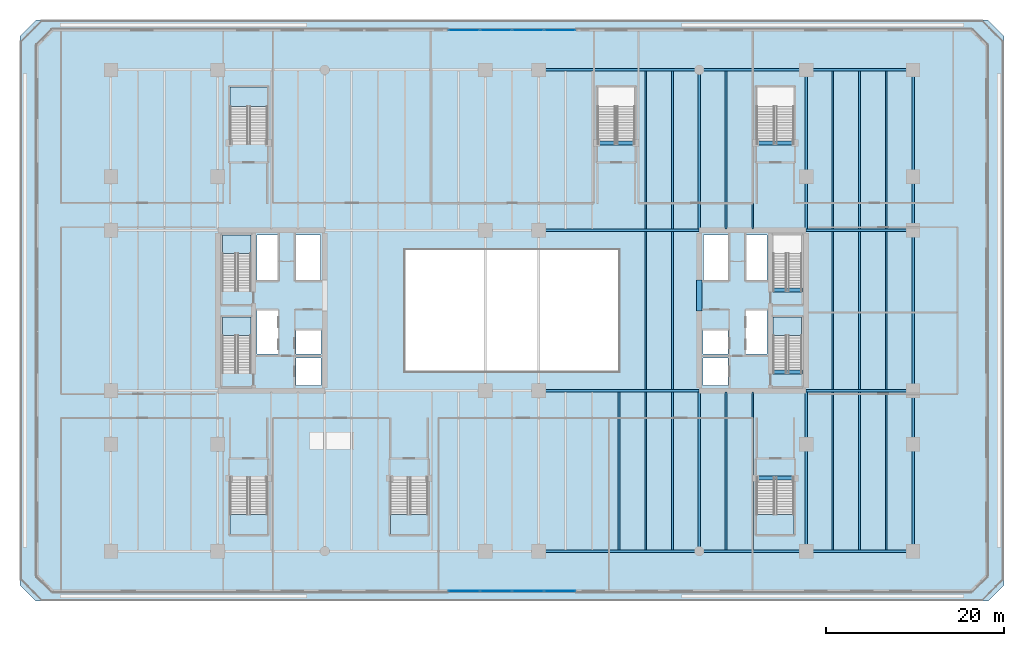
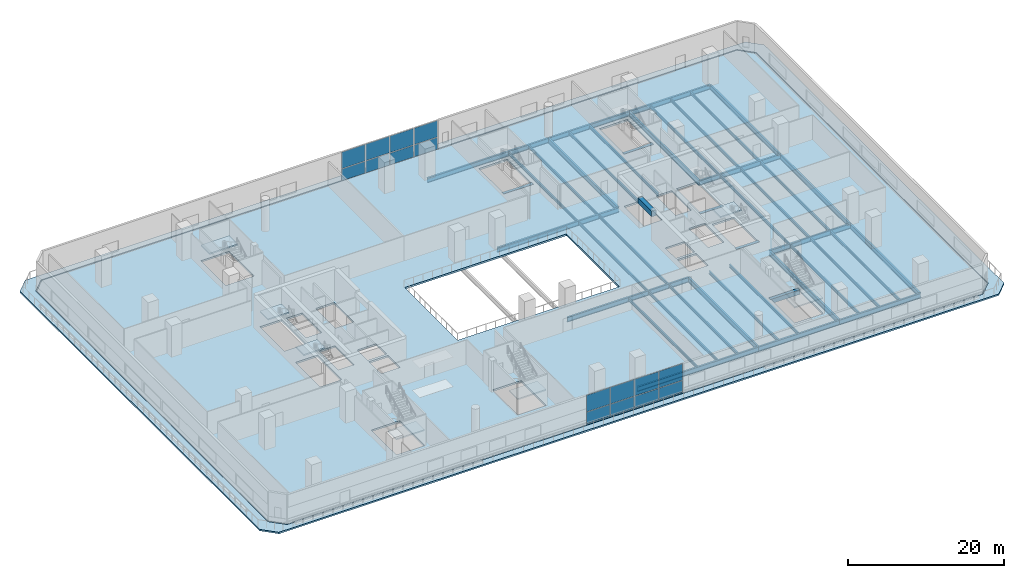
# One storey, part 9 of 27: 43 beams, 16 plates, 9 slabs, 9 elements without a shape of their own.
"""IFC4 building model written with IfcOpenShell, lengths in metres."""

from ifc_helpers import new_model, si_unit, direction, frame, origin, origin_2d, place, context, subcontext, project, spatial, polyline, rectangle, i_section, outline, extrude, material, layer, layer_set, material_profile, profile_set, type_object, element, aggregate, save


model = new_model("IFC4")

# Units and contexts
model_context = context("Model", 3, precision=1e-05, world=origin(), true_north=direction((0.0, 1.0)))
body_context = subcontext(model_context, "Body", "Model", "MODEL_VIEW")
ifc_project = project(units=[si_unit("LENGTHUNIT", "METRE"), si_unit("AREAUNIT", "SQUARE_METRE"), si_unit("VOLUMEUNIT", "CUBIC_METRE"), si_unit("PLANEANGLEUNIT", "RADIAN"), si_unit("MASSUNIT", "GRAM", prefix="KILO")], contexts=[model_context])

# Site, building, storey
site_placement = place(None, origin())
site = spatial("IfcSite", under=ifc_project, at=site_placement, CompositionType="ELEMENT")
building_placement = place(site_placement, origin())
building = spatial("IfcBuilding", under=site, at=building_placement, Name="Tanjung Sevakor Pilgrim Tower", CompositionType="ELEMENT")
storey_placement = place(building_placement, frame((0.0, 0.0, 9.89990234375)))
storey = spatial("IfcBuildingStorey", under=building, at=storey_placement, Name="L03", CompositionType="ELEMENT", Elevation=9.89990234375)

# Beams
ifc_material_1 = material(Name="Steel S355J2", Category="steel")
ifc_material_profile_1 = material_profile(ifc_material_1, i_section(OverallWidth=0.26806640625, OverallDepth=0.769775390625, WebThickness=0.015625, FlangeThickness=0.025390625, FilletRadius=0.0166015625, at=origin_2d()))
ifc_profile_set_1 = profile_set([ifc_material_profile_1], Name="Steel S355J2")
beam_type_1 = type_object("IfcBeamType", Name="BM-B-G1-UB_762x267x197", PredefinedType="BEAM", material=ifc_profile_set_1)
for number, where, z_axis, x_axis, name in (
    (1, (78.0, 6.60009765625, -0.664794921875), (0.0, 1.0, 0.0), (-1.0, 0.0, 0.0), "L03 Podium Girder NS X78-1"),
    (2, (78.0, 42.60009765625, -0.664794921875), (0.0, 1.0, 0.0), (-1.0, 0.0, 0.0), "L03 Podium Girder NS X78-2"),
    (3, (90.0, 6.60009765625, -0.664794921875), (0.0, 1.0, 0.0), (-1.0, 0.0, 0.0), "L03 Podium Girder NS X90-1"),
    (4, (90.0, 42.60009765625, -0.664794921875), (0.0, 1.0, 0.0), (-1.0, 0.0, 0.0), "L03 Podium Girder NS X90-2"),
    (5, (102.0, 6.60009765625, -0.664794921875), (0.0, 1.0, 0.0), (-1.0, 0.0, 0.0), "L03 Podium Girder NS X102-1"),
    (6, (102.0, 24.60009765625, -0.664794921875), (0.0, 1.0, 0.0), (-1.0, 0.0, 0.0), "L03 Podium Girder NS X102-2"),
    (7, (102.0, 42.60009765625, -0.664794921875), (0.0, 1.0, 0.0), (-1.0, 0.0, 0.0), "L03 Podium Girder NS X102-3"),
):
    element("IfcBeam", number, at=place(storey_placement, frame(where, z_axis=z_axis, x_axis=x_axis)), inside=storey, type_object=beam_type_1, Name=name, PredefinedType="BEAM", context=body_context, shape_type="SweptSolid", body=[
        extrude(i_section(OverallWidth=0.26806640625, OverallDepth=0.769775390625, WebThickness=0.015625, FlangeThickness=0.025390625, FilletRadius=0.0166015625, at=origin_2d()), origin(), (0.0, 0.0, 1.0), 18.0),
    ])
ifc_material_2 = material(Name="Steel S355J2", Category="steel")
ifc_material_profile_2 = material_profile(ifc_material_2, i_section(OverallWidth=0.19287109375, OverallDepth=0.46728515625, WebThickness=0.011474609375, FlangeThickness=0.01953125, FilletRadius=0.01025390625, at=origin_2d()))
ifc_profile_set_2 = profile_set([ifc_material_profile_2], Name="Steel S355J2")
beam_type_2 = type_object("IfcBeamType", Name="BM-B-J1-UB_457x191x98", PredefinedType="JOIST", material=ifc_profile_set_2)
for number, where, z_axis, x_axis, name in (
    (8, (69.0, 6.7333984375, -0.513427734375), (0.0, 1.0, 0.0), (-1.0, 0.0, 0.0), "L03 Secondary Joist 031"),
    (9, (72.0, 6.7333984375, -0.513427734375), (0.0, 1.0, 0.0), (-1.0, 0.0, 0.0), "L03 Secondary Joist 032"),
    (10, (72.0, 24.7333984375, -0.513427734375), (0.0, 1.0, 0.0), (-1.0, 0.0, 0.0), "L03 Secondary Joist 033"),
    (11, (72.0, 42.7333984375, -0.513427734375), (0.0, 1.0, 0.0), (-1.0, 0.0, 0.0), "L03 Secondary Joist 034"),
    (12, (75.0, 6.7333984375, -0.513427734375), (0.0, 1.0, 0.0), (-1.0, 0.0, 0.0), "L03 Secondary Joist 035"),
    (13, (75.0, 24.7333984375, -0.513427734375), (0.0, 1.0, 0.0), (-1.0, 0.0, 0.0), "L03 Secondary Joist 036"),
    (14, (75.0, 42.7333984375, -0.513427734375), (0.0, 1.0, 0.0), (-1.0, 0.0, 0.0), "L03 Secondary Joist 037"),
    (15, (81.0, 6.7333984375, -0.513427734375), (0.0, 1.0, 0.0), (-1.0, 0.0, 0.0), "L03 Secondary Joist 038"),
    (16, (81.0, 42.7333984375, -0.513427734375), (0.0, 1.0, 0.0), (-1.0, 0.0, 0.0), "L03 Secondary Joist 039"),
    (17, (84.0, 6.7333984375, -0.513427734375), (0.0, 1.0, 0.0), (-1.0, 0.0, 0.0), "L03 Secondary Joist 040"),
    (18, (84.0, 42.7333984375, -0.513427734375), (0.0, 1.0, 0.0), (-1.0, 0.0, 0.0), "L03 Secondary Joist 041"),
    (19, (93.0, 6.7333984375, -0.513427734375), (0.0, 1.0, 0.0), (-1.0, 0.0, 0.0), "L03 Secondary Joist 042"),
    (20, (93.0, 24.7333984375, -0.513427734375), (0.0, 1.0, 0.0), (-1.0, 0.0, 0.0), "L03 Secondary Joist 043"),
    (21, (93.0, 42.7333984375, -0.513427734375), (0.0, 1.0, 0.0), (-1.0, 0.0, 0.0), "L03 Secondary Joist 044"),
    (22, (96.0, 6.7333984375, -0.513427734375), (0.0, 1.0, 0.0), (-1.0, 0.0, 0.0), "L03 Secondary Joist 045"),
    (23, (96.0, 24.7333984375, -0.513427734375), (0.0, 1.0, 0.0), (-1.0, 0.0, 0.0), "L03 Secondary Joist 046"),
    (24, (96.0, 42.7333984375, -0.513427734375), (0.0, 1.0, 0.0), (-1.0, 0.0, 0.0), "L03 Secondary Joist 047"),
    (25, (99.0, 6.7333984375, -0.513427734375), (0.0, 1.0, 0.0), (-1.0, 0.0, 0.0), "L03 Secondary Joist 048"),
    (26, (99.0, 24.7333984375, -0.513427734375), (0.0, 1.0, 0.0), (-1.0, 0.0, 0.0), "L03 Secondary Joist 049"),
    (27, (99.0, 42.7333984375, -0.513427734375), (0.0, 1.0, 0.0), (-1.0, 0.0, 0.0), "L03 Secondary Joist 050"),
):
    element("IfcBeam", number, at=place(storey_placement, frame(where, z_axis=z_axis, x_axis=x_axis)), inside=storey, type_object=beam_type_2, Name=name, PredefinedType="JOIST", context=body_context, shape_type="SweptSolid", body=[
        extrude(i_section(OverallWidth=0.19287109375, OverallDepth=0.46728515625, WebThickness=0.011474609375, FlangeThickness=0.01953125, FilletRadius=0.01025390625, at=origin_2d()), origin(), (0.0, 0.0, 1.0), 17.7333984375),
    ])
ifc_material_3 = material(Name="Concrete C60/75", Category="concrete")
ifc_material_profile_3 = material_profile(ifc_material_3, rectangle(XDim=0.60009765625, YDim=0.89990234375, at=origin_2d()))
ifc_profile_set_3 = profile_set([ifc_material_profile_3], Name="Concrete C60/75")
beam_type_3 = type_object("IfcBeamType", Name="BM-B-LN1-RC-BM_600x900", PredefinedType="LINTEL", material=ifc_profile_set_3)
beam_1_placement = place(storey_placement, frame((78.0, 33.550048828125, 4.22021484375), z_axis=(0.0, 1.0, 0.0), x_axis=(-1.0, 0.0, 0.0)))
element("IfcBeam", 28, at=beam_1_placement, inside=storey, type_object=beam_type_3, Name="L03 E Core Coupling Lintel", PredefinedType="LINTEL", context=body_context, shape_type="SweptSolid", body=[
    extrude(rectangle(XDim=0.60009765625, YDim=0.89990234375, at=origin_2d()), origin(), (0.0, 0.0, 1.0), 3.5),
])
ifc_material_4 = material(Name="Concrete C60/75", Category="concrete")
ifc_material_profile_4 = material_profile(ifc_material_4, rectangle(XDim=0.449951171875, YDim=0.699951171875, at=origin_2d()))
ifc_profile_set_4 = profile_set([ifc_material_profile_4], Name="Concrete C60/75")
beam_type_4 = type_object("IfcBeamType", Name="BM-B-LN3-RC-BM_450x700", PredefinedType="LINTEL", material=ifc_profile_set_4)
for number, where, z_axis, x_axis, name in (
    (29, (86.199951171875, 26.699951171875, -0.349853515625), (1.0, 0.0, 0.0), (0.0, 1.0, 0.0), "L03 TS-E1 Stair Threshold Beam"),
    (30, (86.199951171875, 35.89990234375, -0.349853515625), (1.0, 0.0, 0.0), (0.0, 1.0, 0.0), "L03 TS-E2 Stair Threshold Beam"),
):
    element("IfcBeam", number, at=place(storey_placement, frame(where, z_axis=z_axis, x_axis=x_axis)), inside=storey, type_object=beam_type_4, Name=name, PredefinedType="LINTEL", context=body_context, shape_type="SweptSolid", body=[
        extrude(rectangle(XDim=0.449951171875, YDim=0.699951171875, at=origin_2d()), origin(), (0.0, 0.0, 1.0), 3.400146484375),
    ])
for number, where, z_axis, x_axis, name in (
    (31, (66.5, 52.39990234375, -0.349853515625), (1.0, 0.0, 0.0), (0.0, 1.0, 0.0), "L03 PS-4 Stair Threshold Beam"),
    (32, (84.35009765625, 14.800048828125, -0.349853515625), (1.0, 0.0, 0.0), (0.0, 1.0, 0.0), "L03 PS-5 Stair Threshold Beam"),
    (33, (84.35009765625, 52.39990234375, -0.349853515625), (1.0, 0.0, 0.0), (0.0, 1.0, 0.0), "L03 PS-6 Stair Threshold Beam"),
):
    element("IfcBeam", number, at=place(storey_placement, frame(where, z_axis=z_axis, x_axis=x_axis)), inside=storey, type_object=beam_type_4, Name=name, PredefinedType="LINTEL", context=body_context, shape_type="SweptSolid", body=[
        extrude(rectangle(XDim=0.449951171875, YDim=0.699951171875, at=origin_2d()), origin(), (0.0, 0.0, 1.0), 4.39990234375),
    ])
ifc_material_5 = material(Name="Steel S355J2", Category="steel")
ifc_material_profile_5 = material_profile(ifc_material_5, i_section(OverallWidth=0.2666015625, OverallDepth=0.76220703125, WebThickness=0.014404296875, FlangeThickness=0.021484375, FilletRadius=0.0166015625, at=origin_2d()))
ifc_profile_set_5 = profile_set([ifc_material_profile_5], Name="Steel S355J2")
beam_type_5 = type_object("IfcBeamType", Name="BM-B-POD4-UB_762x267x173", PredefinedType="BEAM", material=ifc_profile_set_5)
beam_2_placement = place(storey_placement, frame((60.0, 6.60009765625, -0.660888671875), z_axis=(1.0, 0.0, 0.0), x_axis=(0.0, 1.0, 0.0)))
element("IfcBeam", 34, at=beam_2_placement, inside=storey, type_object=beam_type_5, Name="L03 Podium Girder EW Y6.6-5", PredefinedType="BEAM", context=body_context, shape_type="SweptSolid", body=[
    extrude(i_section(OverallWidth=0.2666015625, OverallDepth=0.76220703125, WebThickness=0.014404296875, FlangeThickness=0.021484375, FilletRadius=0.0166015625, at=origin_2d()), origin(), (0.0, 0.0, 1.0), 18.0),
])
for number, where, z_axis, x_axis, name in (
    (35, (78.0, 6.60009765625, -0.660888671875), (1.0, 0.0, 0.0), (0.0, 1.0, 0.0), "L03 Podium Girder EW Y6.6-6"),
    (36, (90.0, 6.60009765625, -0.660888671875), (1.0, 0.0, 0.0), (0.0, 1.0, 0.0), "L03 Podium Girder EW Y6.6-7"),
):
    element("IfcBeam", number, at=place(storey_placement, frame(where, z_axis=z_axis, x_axis=x_axis)), inside=storey, type_object=beam_type_5, Name=name, PredefinedType="BEAM", context=body_context, shape_type="SweptSolid", body=[
        extrude(i_section(OverallWidth=0.2666015625, OverallDepth=0.76220703125, WebThickness=0.014404296875, FlangeThickness=0.021484375, FilletRadius=0.0166015625, at=origin_2d()), origin(), (0.0, 0.0, 1.0), 12.0),
    ])
beam_3_placement = place(storey_placement, frame((60.0, 24.60009765625, -0.660888671875), z_axis=(1.0, 0.0, 0.0), x_axis=(0.0, 1.0, 0.0)))
element("IfcBeam", 37, at=beam_3_placement, inside=storey, type_object=beam_type_5, Name="L03 Podium Girder EW Y24.6-4", PredefinedType="BEAM", context=body_context, shape_type="SweptSolid", body=[
    extrude(i_section(OverallWidth=0.2666015625, OverallDepth=0.76220703125, WebThickness=0.014404296875, FlangeThickness=0.021484375, FilletRadius=0.0166015625, at=origin_2d()), origin(), (0.0, 0.0, 1.0), 18.0),
])
beam_4_placement = place(storey_placement, frame((90.0, 24.60009765625, -0.660888671875), z_axis=(1.0, 0.0, 0.0), x_axis=(0.0, 1.0, 0.0)))
element("IfcBeam", 38, at=beam_4_placement, inside=storey, type_object=beam_type_5, Name="L03 Podium Girder EW Y24.6-5", PredefinedType="BEAM", context=body_context, shape_type="SweptSolid", body=[
    extrude(i_section(OverallWidth=0.2666015625, OverallDepth=0.76220703125, WebThickness=0.014404296875, FlangeThickness=0.021484375, FilletRadius=0.0166015625, at=origin_2d()), origin(), (0.0, 0.0, 1.0), 12.0),
])
beam_5_placement = place(storey_placement, frame((60.0, 42.60009765625, -0.660888671875), z_axis=(1.0, 0.0, 0.0), x_axis=(0.0, 1.0, 0.0)))
element("IfcBeam", 39, at=beam_5_placement, inside=storey, type_object=beam_type_5, Name="L03 Podium Girder EW Y42.6-4", PredefinedType="BEAM", context=body_context, shape_type="SweptSolid", body=[
    extrude(i_section(OverallWidth=0.2666015625, OverallDepth=0.76220703125, WebThickness=0.014404296875, FlangeThickness=0.021484375, FilletRadius=0.0166015625, at=origin_2d()), origin(), (0.0, 0.0, 1.0), 18.0),
])
beam_6_placement = place(storey_placement, frame((90.0, 42.60009765625, -0.660888671875), z_axis=(1.0, 0.0, 0.0), x_axis=(0.0, 1.0, 0.0)))
element("IfcBeam", 40, at=beam_6_placement, inside=storey, type_object=beam_type_5, Name="L03 Podium Girder EW Y42.6-5", PredefinedType="BEAM", context=body_context, shape_type="SweptSolid", body=[
    extrude(i_section(OverallWidth=0.2666015625, OverallDepth=0.76220703125, WebThickness=0.014404296875, FlangeThickness=0.021484375, FilletRadius=0.0166015625, at=origin_2d()), origin(), (0.0, 0.0, 1.0), 12.0),
])
beam_7_placement = place(storey_placement, frame((60.0, 60.60009765625, -0.660888671875), z_axis=(1.0, 0.0, 0.0), x_axis=(0.0, 1.0, 0.0)))
element("IfcBeam", 41, at=beam_7_placement, inside=storey, type_object=beam_type_5, Name="L03 Podium Girder EW Y60.6-5", PredefinedType="BEAM", context=body_context, shape_type="SweptSolid", body=[
    extrude(i_section(OverallWidth=0.2666015625, OverallDepth=0.76220703125, WebThickness=0.014404296875, FlangeThickness=0.021484375, FilletRadius=0.0166015625, at=origin_2d()), origin(), (0.0, 0.0, 1.0), 18.0),
])
for number, where, z_axis, x_axis, name in (
    (42, (78.0, 60.60009765625, -0.660888671875), (1.0, 0.0, 0.0), (0.0, 1.0, 0.0), "L03 Podium Girder EW Y60.6-6"),
    (43, (90.0, 60.60009765625, -0.660888671875), (1.0, 0.0, 0.0), (0.0, 1.0, 0.0), "L03 Podium Girder EW Y60.6-7"),
):
    element("IfcBeam", number, at=place(storey_placement, frame(where, z_axis=z_axis, x_axis=x_axis)), inside=storey, type_object=beam_type_5, Name=name, PredefinedType="BEAM", context=body_context, shape_type="SweptSolid", body=[
        extrude(i_section(OverallWidth=0.2666015625, OverallDepth=0.76220703125, WebThickness=0.014404296875, FlangeThickness=0.021484375, FilletRadius=0.0166015625, at=origin_2d()), origin(), (0.0, 0.0, 1.0), 12.0),
    ])

# Stair, slab
ifc_material_6 = material(Name="Concrete C40/50", Category="concrete")
stair_type_1 = type_object("IfcStairType", Name="STAIR-ST-CR150", PredefinedType="HALF_TURN_STAIR", material=ifc_material_6)
stair_1_placement = place(storey_placement, origin())
stair_1 = element("IfcStair", 44, at=stair_1_placement, inside=storey, type_object=stair_type_1, Name="L03 West Core Exit Stair 1", PredefinedType="HALF_TURN_STAIR")
ifc_material_7 = material(Name="Concrete C40/50", Category="concrete")
ifc_layer_1 = layer(ifc_material_7, 0.199951171875)
ifc_layer_set_1 = layer_set([ifc_layer_1], Name="SL-LAND-200")
slab_type_1 = type_object("IfcSlabType", Name="SL-LAND-200", PredefinedType="LANDING", material=ifc_layer_set_1)
slab_1_placement = place(storey_placement, frame((0.0, 0.0, 2.275146484375)))
slab_1 = element("IfcSlab", 45, at=slab_1_placement, type_object=slab_type_1, Name="TS-W1 landing 1", PredefinedType="LANDING", context=body_context, shape_type="SweptSolid", body=[
    extrude(outline(polyline([(27.699951171875, 30.800048828125), (27.699951171875, 32.89990234375), (24.5, 32.89990234375), (24.5, 30.800048828125), (27.699951171875, 30.800048828125)])), origin(), (0.0, 0.0, 1.0), 0.199951171875),
])
aggregate(stair_1, [slab_1])

stair_2_placement = place(storey_placement, origin())
stair_2 = element("IfcStair", 46, at=stair_2_placement, inside=storey, type_object=stair_type_1, Name="L03 West Core Exit Stair 2", PredefinedType="HALF_TURN_STAIR")
slab_2_placement = place(storey_placement, frame((0.0, 0.0, 2.275146484375)))
slab_2 = element("IfcSlab", 47, at=slab_2_placement, type_object=slab_type_1, Name="TS-W2 landing 1", PredefinedType="LANDING", context=body_context, shape_type="SweptSolid", body=[
    extrude(outline(polyline([(27.699951171875, 40.0), (27.699951171875, 42.10009765625), (24.5, 42.10009765625), (24.5, 40.0), (27.699951171875, 40.0)])), origin(), (0.0, 0.0, 1.0), 0.199951171875),
])
aggregate(stair_2, [slab_2])

stair_3_placement = place(storey_placement, origin())
stair_3 = element("IfcStair", 48, at=stair_3_placement, inside=storey, type_object=stair_type_1, Name="L03 East Core Exit Stair 1", PredefinedType="HALF_TURN_STAIR")
slab_3_placement = place(storey_placement, frame((0.0, 0.0, 2.275146484375)))
slab_3 = element("IfcSlab", 49, at=slab_3_placement, type_object=slab_type_1, Name="TS-E1 landing 1", PredefinedType="LANDING", context=body_context, shape_type="SweptSolid", body=[
    extrude(outline(polyline([(89.5, 30.800048828125), (89.5, 32.89990234375), (86.300048828125, 32.89990234375), (86.300048828125, 30.800048828125), (89.5, 30.800048828125)])), origin(), (0.0, 0.0, 1.0), 0.199951171875),
])
aggregate(stair_3, [slab_3])

ifc_material_8 = material(Name="Concrete C40/50", Category="concrete")
stair_type_2 = type_object("IfcStairType", Name="STAIR-ST-PD200", PredefinedType="HALF_TURN_STAIR", material=ifc_material_8)
stair_4_placement = place(storey_placement, origin())
stair_4 = element("IfcStair", 50, at=stair_4_placement, inside=storey, type_object=stair_type_2, Name="L03 Podium South-West Assembly Stair", PredefinedType="HALF_TURN_STAIR")
slab_4_placement = place(storey_placement, frame((0.0, 0.0, 2.275146484375)))
slab_4 = element("IfcSlab", 51, at=slab_4_placement, type_object=slab_type_1, Name="PS-1 landing 1", PredefinedType="LANDING", context=body_context, shape_type="SweptSolid", body=[
    extrude(outline(polyline([(25.35009765625, 10.699951171875), (25.35009765625, 8.5), (29.550048828125, 8.5), (29.550048828125, 10.699951171875), (25.35009765625, 10.699951171875)])), origin(), (0.0, 0.0, 1.0), 0.199951171875),
])
aggregate(stair_4, [slab_4])

stair_5_placement = place(storey_placement, origin())
stair_5 = element("IfcStair", 52, at=stair_5_placement, inside=storey, type_object=stair_type_2, Name="L03 Podium North-West Assembly Stair", PredefinedType="HALF_TURN_STAIR")
slab_5_placement = place(storey_placement, frame((0.0, 0.0, 2.275146484375)))
slab_5 = element("IfcSlab", 53, at=slab_5_placement, type_object=slab_type_1, Name="PS-2 landing 1", PredefinedType="LANDING", context=body_context, shape_type="SweptSolid", body=[
    extrude(outline(polyline([(29.550048828125, 56.5), (29.550048828125, 58.699951171875), (25.35009765625, 58.699951171875), (25.35009765625, 56.5), (29.550048828125, 56.5)])), origin(), (0.0, 0.0, 1.0), 0.199951171875),
])
aggregate(stair_5, [slab_5])

stair_6_placement = place(storey_placement, origin())
stair_6 = element("IfcStair", 54, at=stair_6_placement, inside=storey, type_object=stair_type_2, Name="L03 Podium South-Central Assembly Stair", PredefinedType="HALF_TURN_STAIR")
slab_6_placement = place(storey_placement, frame((0.0, 0.0, 2.275146484375)))
slab_6 = element("IfcSlab", 55, at=slab_6_placement, type_object=slab_type_1, Name="PS-3 landing 1", PredefinedType="LANDING", context=body_context, shape_type="SweptSolid", body=[
    extrude(outline(polyline([(43.35009765625, 10.699951171875), (43.35009765625, 8.5), (47.550048828125, 8.5), (47.550048828125, 10.699951171875), (43.35009765625, 10.699951171875)])), origin(), (0.0, 0.0, 1.0), 0.199951171875),
])
aggregate(stair_6, [slab_6])

stair_7_placement = place(storey_placement, origin())
stair_7 = element("IfcStair", 56, at=stair_7_placement, inside=storey, type_object=stair_type_2, Name="L03 Podium South-East Assembly Stair", PredefinedType="HALF_TURN_STAIR")
slab_7_placement = place(storey_placement, frame((0.0, 0.0, 2.275146484375)))
slab_7 = element("IfcSlab", 57, at=slab_7_placement, type_object=slab_type_1, Name="PS-5 landing 1", PredefinedType="LANDING", context=body_context, shape_type="SweptSolid", body=[
    extrude(outline(polyline([(84.449951171875, 10.699951171875), (84.449951171875, 8.5), (88.64990234375, 8.5), (88.64990234375, 10.699951171875), (84.449951171875, 10.699951171875)])), origin(), (0.0, 0.0, 1.0), 0.199951171875),
])
aggregate(stair_7, [slab_7])

# Slabs
ifc_material_9 = material(Name="Concrete C40/50", Category="concrete")
ifc_layer_2 = layer(ifc_material_9, 0.280029296875)
ifc_layer_set_2 = layer_set([ifc_layer_2], Name="SL-POD-280")
slab_type_2 = type_object("IfcSlabType", Name="SL-POD-280", PredefinedType="FLOOR", material=ifc_layer_set_2)
slab_8_placement = place(storey_placement, frame((0.0, 0.0, -0.27978515625)))
element("IfcSlab", 58, at=slab_8_placement, inside=storey, type_object=slab_type_2, Name="L03 Floor Slab MAIN", PredefinedType="FLOOR", context=body_context, shape_type="SweptSolid", body=[
    extrude(outline(polyline([(5.447021484375, 2.080078125), (108.552978515625, 2.080078125), (110.320068359375, 3.846923828125), (110.320068359375, 63.35302734375), (108.552978515625, 65.1201171875), (5.447021484375, 65.1201171875), (3.679931640625, 63.35302734375), (3.679931640625, 3.846923828125), (5.447021484375, 2.080078125)]), holes=[polyline([(27.699951171875, 26.60009765625), (27.699951171875, 32.89990234375), (24.5, 32.89990234375), (24.5, 26.60009765625), (27.699951171875, 26.60009765625)]), polyline([(27.699951171875, 35.800048828125), (27.699951171875, 42.10009765625), (24.5, 42.10009765625), (24.5, 35.800048828125), (27.699951171875, 35.800048828125)]), polyline([(89.5, 26.60009765625), (89.5, 32.89990234375), (86.300048828125, 32.89990234375), (86.300048828125, 26.60009765625), (89.5, 26.60009765625)]), polyline([(89.5, 35.800048828125), (89.5, 42.10009765625), (86.300048828125, 42.10009765625), (86.300048828125, 35.800048828125), (89.5, 35.800048828125)]), polyline([(25.35009765625, 14.89990234375), (25.35009765625, 8.5), (29.550048828125, 8.5), (29.550048828125, 14.89990234375), (25.35009765625, 14.89990234375)]), polyline([(29.550048828125, 52.300048828125), (29.550048828125, 58.699951171875), (25.35009765625, 58.699951171875), (25.35009765625, 52.300048828125), (29.550048828125, 52.300048828125)]), polyline([(43.35009765625, 14.89990234375), (43.35009765625, 8.5), (47.550048828125, 8.5), (47.550048828125, 14.89990234375), (43.35009765625, 14.89990234375)]), polyline([(70.800048828125, 52.300048828125), (70.800048828125, 58.699951171875), (66.60009765625, 58.699951171875), (66.60009765625, 52.300048828125), (70.800048828125, 52.300048828125)]), polyline([(84.449951171875, 14.89990234375), (84.449951171875, 8.5), (88.64990234375, 8.5), (88.64990234375, 14.89990234375), (84.449951171875, 14.89990234375)]), polyline([(88.64990234375, 52.300048828125), (88.64990234375, 58.699951171875), (84.449951171875, 58.699951171875), (84.449951171875, 52.300048828125), (88.64990234375, 52.300048828125)]), polyline([(32.75, 25.199951171875), (35.550048828125, 25.199951171875), (35.550048828125, 28.300048828125), (32.75, 28.300048828125), (32.75, 25.199951171875)]), polyline([(32.75, 28.699951171875), (35.550048828125, 28.699951171875), (35.550048828125, 31.35009765625), (32.75, 31.35009765625), (32.75, 28.699951171875)]), polyline([(28.39990234375, 28.699951171875), (30.75, 28.699951171875), (30.75, 33.60009765625), (28.39990234375, 33.60009765625), (28.39990234375, 28.699951171875)]), polyline([(28.39990234375, 37.0), (30.75, 37.0), (30.75, 42.050048828125), (28.39990234375, 42.050048828125), (28.39990234375, 37.0)]), polyline([(32.75, 37.0), (35.5, 37.0), (35.5, 42.050048828125), (32.75, 42.050048828125), (32.75, 37.0)]), polyline([(78.449951171875, 25.199951171875), (81.25, 25.199951171875), (81.25, 28.300048828125), (78.449951171875, 28.300048828125), (78.449951171875, 25.199951171875)]), polyline([(78.449951171875, 28.699951171875), (81.25, 28.699951171875), (81.25, 31.35009765625), (78.449951171875, 31.35009765625), (78.449951171875, 28.699951171875)]), polyline([(83.25, 28.699951171875), (85.60009765625, 28.699951171875), (85.60009765625, 33.60009765625), (83.25, 33.60009765625), (83.25, 28.699951171875)]), polyline([(83.25, 37.0), (85.60009765625, 37.0), (85.60009765625, 42.050048828125), (83.25, 42.050048828125), (83.25, 37.0)]), polyline([(78.5, 37.0), (81.25, 37.0), (81.25, 42.050048828125), (78.5, 42.050048828125), (78.5, 37.0)]), polyline([(45.0, 26.800048828125), (69.0, 26.800048828125), (69.0, 40.39990234375), (45.0, 40.39990234375), (45.0, 26.800048828125)])]), origin(), (0.0, 0.0, 1.0), 0.27978515625),
])
ifc_material_10 = material(Name="Concrete C40/50", Category="concrete")
ifc_layer_3 = layer(ifc_material_10, 0.239990234375)
ifc_layer_set_3 = layer_set([ifc_layer_3], Name="SL-TER-240")
slab_type_3 = type_object("IfcSlabType", Name="SL-TER-240", PredefinedType="FLOOR", material=ifc_layer_set_3)
slab_9_placement = place(storey_placement, frame((0.0, 0.0, -0.239990234375)))
element("IfcSlab", 59, at=slab_9_placement, inside=storey, type_object=slab_type_3, Name="L03 Cascade Garden Terrace Ring", PredefinedType="FLOOR", context=body_context, shape_type="SweptSolid", body=[
    extrude(outline(polyline([(3.60009765625, 1.0), (110.39990234375, 1.0), (112.199951171875, 2.800048828125), (112.199951171875, 64.39990234375), (110.39990234375, 66.199951171875), (3.60009765625, 66.199951171875), (1.800048828125, 64.39990234375), (1.800048828125, 2.800048828125), (3.60009765625, 1.0)]), holes=[polyline([(5.38818359375, 1.97998046875), (108.61181640625, 1.97998046875), (110.419921875, 3.788330078125), (110.419921875, 63.41162109375), (108.61181640625, 65.219970703125), (5.38818359375, 65.219970703125), (3.580078125, 63.41162109375), (3.580078125, 3.788330078125), (5.38818359375, 1.97998046875)])]), origin(), (0.0, 0.0, 1.0), 0.239990234375),
])

# Curtain wall, plates
ifc_material_11 = material(Name="Aluminium 6063-T6 and Low-E Glass", Category="aluminium")
ifc_layer_4 = layer(ifc_material_11, 0.179931640625)
ifc_layer_set_4 = layer_set([ifc_layer_4], Name="CW-SYS-POD")
curtain_wall_type = type_object("IfcCurtainWallType", Name="CW-SYS-POD", PredefinedType="NOTDEFINED", material=ifc_layer_set_4)
curtain_wall_1_placement = place(storey_placement, origin())
curtain_wall_1 = element("IfcCurtainWall", 60, at=curtain_wall_1_placement, inside=storey, type_object=curtain_wall_type, Name="L03 Curtain Wall CW-POD-L03-S", PredefinedType="NOTDEFINED")
ifc_material_12 = material(Name="Laminated Low-E Double Glazing", Category="glass")
ifc_layer_5 = layer(ifc_material_12, 0.028076171875)
ifc_layer_set_5 = layer_set([ifc_layer_5], Name="TYPE-CWP-GLZ1")
plate_type = type_object("IfcPlateType", Name="TYPE-CWP-GLZ1", PredefinedType="CURTAIN_PANEL", material=ifc_layer_set_5)
plate_1_placement = place(storey_placement, frame((51.6201171875, 2.14990234375, 0.080078125), z_axis=(0.0, 0.0, 1.0), x_axis=(1.0, 0.0, 0.0)))
plate_1 = element("IfcPlate", 61, at=plate_1_placement, type_object=plate_type, Name="CW-POD panel 1.1", PredefinedType="CURTAIN_PANEL", context=body_context, shape_type="SweptSolid", body=[
    extrude(rectangle(XDim=3.47998046875, YDim=0.028076171875, at=origin_2d()), origin(), (0.0, 0.0, 1.0), 1.84130859375),
])
plate_2_placement = place(storey_placement, frame((51.6201171875, 2.14990234375, 2.00146484375), z_axis=(0.0, 0.0, 1.0), x_axis=(1.0, 0.0, 0.0)))
plate_2 = element("IfcPlate", 62, at=plate_2_placement, type_object=plate_type, Name="CW-POD panel 1.2", PredefinedType="CURTAIN_PANEL", context=body_context, shape_type="SweptSolid", body=[
    extrude(rectangle(XDim=3.47998046875, YDim=0.028076171875, at=origin_2d()), origin(), (0.0, 0.0, 1.0), 2.588623046875),
])
plate_3_placement = place(storey_placement, frame((55.199951171875, 2.14990234375, 0.080078125), z_axis=(0.0, 0.0, 1.0), x_axis=(1.0, 0.0, 0.0)))
plate_3 = element("IfcPlate", 63, at=plate_3_placement, type_object=plate_type, Name="CW-POD panel 2.1", PredefinedType="CURTAIN_PANEL", context=body_context, shape_type="SweptSolid", body=[
    extrude(rectangle(XDim=3.52001953125, YDim=0.028076171875, at=origin_2d()), origin(), (0.0, 0.0, 1.0), 1.84130859375),
])
plate_4_placement = place(storey_placement, frame((55.199951171875, 2.14990234375, 2.00146484375), z_axis=(0.0, 0.0, 1.0), x_axis=(1.0, 0.0, 0.0)))
plate_4 = element("IfcPlate", 64, at=plate_4_placement, type_object=plate_type, Name="CW-POD panel 2.2", PredefinedType="CURTAIN_PANEL", context=body_context, shape_type="SweptSolid", body=[
    extrude(rectangle(XDim=3.52001953125, YDim=0.028076171875, at=origin_2d()), origin(), (0.0, 0.0, 1.0), 2.588623046875),
])
plate_5_placement = place(storey_placement, frame((58.800048828125, 2.14990234375, 0.080078125), z_axis=(0.0, 0.0, 1.0), x_axis=(1.0, 0.0, 0.0)))
plate_5 = element("IfcPlate", 65, at=plate_5_placement, type_object=plate_type, Name="CW-POD panel 3.1", PredefinedType="CURTAIN_PANEL", context=body_context, shape_type="SweptSolid", body=[
    extrude(rectangle(XDim=3.52001953125, YDim=0.028076171875, at=origin_2d()), origin(), (0.0, 0.0, 1.0), 1.84130859375),
])
plate_6_placement = place(storey_placement, frame((58.800048828125, 2.14990234375, 2.00146484375), z_axis=(0.0, 0.0, 1.0), x_axis=(1.0, 0.0, 0.0)))
plate_6 = element("IfcPlate", 66, at=plate_6_placement, type_object=plate_type, Name="CW-POD panel 3.2", PredefinedType="CURTAIN_PANEL", context=body_context, shape_type="SweptSolid", body=[
    extrude(rectangle(XDim=3.52001953125, YDim=0.028076171875, at=origin_2d()), origin(), (0.0, 0.0, 1.0), 2.588623046875),
])
plate_7_placement = place(storey_placement, frame((62.3798828125, 2.14990234375, 0.080078125), z_axis=(0.0, 0.0, 1.0), x_axis=(1.0, 0.0, 0.0)))
plate_7 = element("IfcPlate", 67, at=plate_7_placement, type_object=plate_type, Name="CW-POD panel 4.1", PredefinedType="CURTAIN_PANEL", context=body_context, shape_type="SweptSolid", body=[
    extrude(rectangle(XDim=3.47998046875, YDim=0.028076171875, at=origin_2d()), origin(), (0.0, 0.0, 1.0), 1.84130859375),
])
plate_8_placement = place(storey_placement, frame((62.3798828125, 2.14990234375, 2.00146484375), z_axis=(0.0, 0.0, 1.0), x_axis=(1.0, 0.0, 0.0)))
plate_8 = element("IfcPlate", 68, at=plate_8_placement, type_object=plate_type, Name="CW-POD panel 4.2", PredefinedType="CURTAIN_PANEL", context=body_context, shape_type="SweptSolid", body=[
    extrude(rectangle(XDim=3.47998046875, YDim=0.028076171875, at=origin_2d()), origin(), (0.0, 0.0, 1.0), 2.588623046875),
])
aggregate(curtain_wall_1, [plate_1, plate_2, plate_3, plate_4, plate_5, plate_6, plate_7, plate_8])

curtain_wall_2_placement = place(storey_placement, origin())
curtain_wall_2 = element("IfcCurtainWall", 69, at=curtain_wall_2_placement, inside=storey, type_object=curtain_wall_type, Name="L03 Curtain Wall CW-POD-L03-N", PredefinedType="NOTDEFINED")
plate_9_placement = place(storey_placement, frame((62.3798828125, 65.050048828125, 0.080078125), z_axis=(0.0, 0.0, 1.0), x_axis=(-1.0, 0.0, 0.0)))
plate_9 = element("IfcPlate", 70, at=plate_9_placement, type_object=plate_type, Name="CW-POD panel 1.1", PredefinedType="CURTAIN_PANEL", context=body_context, shape_type="SweptSolid", body=[
    extrude(rectangle(XDim=3.47998046875, YDim=0.028076171875, at=origin_2d()), origin(), (0.0, 0.0, 1.0), 1.84130859375),
])
plate_10_placement = place(storey_placement, frame((62.3798828125, 65.050048828125, 2.00146484375), z_axis=(0.0, 0.0, 1.0), x_axis=(-1.0, 0.0, 0.0)))
plate_10 = element("IfcPlate", 71, at=plate_10_placement, type_object=plate_type, Name="CW-POD panel 1.2", PredefinedType="CURTAIN_PANEL", context=body_context, shape_type="SweptSolid", body=[
    extrude(rectangle(XDim=3.47998046875, YDim=0.028076171875, at=origin_2d()), origin(), (0.0, 0.0, 1.0), 2.588623046875),
])
plate_11_placement = place(storey_placement, frame((58.800048828125, 65.050048828125, 0.080078125), z_axis=(0.0, 0.0, 1.0), x_axis=(-1.0, 0.0, 0.0)))
plate_11 = element("IfcPlate", 72, at=plate_11_placement, type_object=plate_type, Name="CW-POD panel 2.1", PredefinedType="CURTAIN_PANEL", context=body_context, shape_type="SweptSolid", body=[
    extrude(rectangle(XDim=3.52001953125, YDim=0.028076171875, at=origin_2d()), origin(), (0.0, 0.0, 1.0), 1.84130859375),
])
plate_12_placement = place(storey_placement, frame((58.800048828125, 65.050048828125, 2.00146484375), z_axis=(0.0, 0.0, 1.0), x_axis=(-1.0, 0.0, 0.0)))
plate_12 = element("IfcPlate", 73, at=plate_12_placement, type_object=plate_type, Name="CW-POD panel 2.2", PredefinedType="CURTAIN_PANEL", context=body_context, shape_type="SweptSolid", body=[
    extrude(rectangle(XDim=3.52001953125, YDim=0.028076171875, at=origin_2d()), origin(), (0.0, 0.0, 1.0), 2.588623046875),
])
plate_13_placement = place(storey_placement, frame((55.199951171875, 65.050048828125, 0.080078125), z_axis=(0.0, 0.0, 1.0), x_axis=(-1.0, 0.0, 0.0)))
plate_13 = element("IfcPlate", 74, at=plate_13_placement, type_object=plate_type, Name="CW-POD panel 3.1", PredefinedType="CURTAIN_PANEL", context=body_context, shape_type="SweptSolid", body=[
    extrude(rectangle(XDim=3.52001953125, YDim=0.028076171875, at=origin_2d()), origin(), (0.0, 0.0, 1.0), 1.84130859375),
])
plate_14_placement = place(storey_placement, frame((55.199951171875, 65.050048828125, 2.00146484375), z_axis=(0.0, 0.0, 1.0), x_axis=(-1.0, 0.0, 0.0)))
plate_14 = element("IfcPlate", 75, at=plate_14_placement, type_object=plate_type, Name="CW-POD panel 3.2", PredefinedType="CURTAIN_PANEL", context=body_context, shape_type="SweptSolid", body=[
    extrude(rectangle(XDim=3.52001953125, YDim=0.028076171875, at=origin_2d()), origin(), (0.0, 0.0, 1.0), 2.588623046875),
])
plate_15_placement = place(storey_placement, frame((51.6201171875, 65.050048828125, 0.080078125), z_axis=(0.0, 0.0, 1.0), x_axis=(-1.0, 0.0, 0.0)))
plate_15 = element("IfcPlate", 76, at=plate_15_placement, type_object=plate_type, Name="CW-POD panel 4.1", PredefinedType="CURTAIN_PANEL", context=body_context, shape_type="SweptSolid", body=[
    extrude(rectangle(XDim=3.47998046875, YDim=0.028076171875, at=origin_2d()), origin(), (0.0, 0.0, 1.0), 1.84130859375),
])
plate_16_placement = place(storey_placement, frame((51.6201171875, 65.050048828125, 2.00146484375), z_axis=(0.0, 0.0, 1.0), x_axis=(-1.0, 0.0, 0.0)))
plate_16 = element("IfcPlate", 77, at=plate_16_placement, type_object=plate_type, Name="CW-POD panel 4.2", PredefinedType="CURTAIN_PANEL", context=body_context, shape_type="SweptSolid", body=[
    extrude(rectangle(XDim=3.47998046875, YDim=0.028076171875, at=origin_2d()), origin(), (0.0, 0.0, 1.0), 2.588623046875),
])
aggregate(curtain_wall_2, [plate_9, plate_10, plate_11, plate_12, plate_13, plate_14, plate_15, plate_16])

save(model, "model.ifc")
